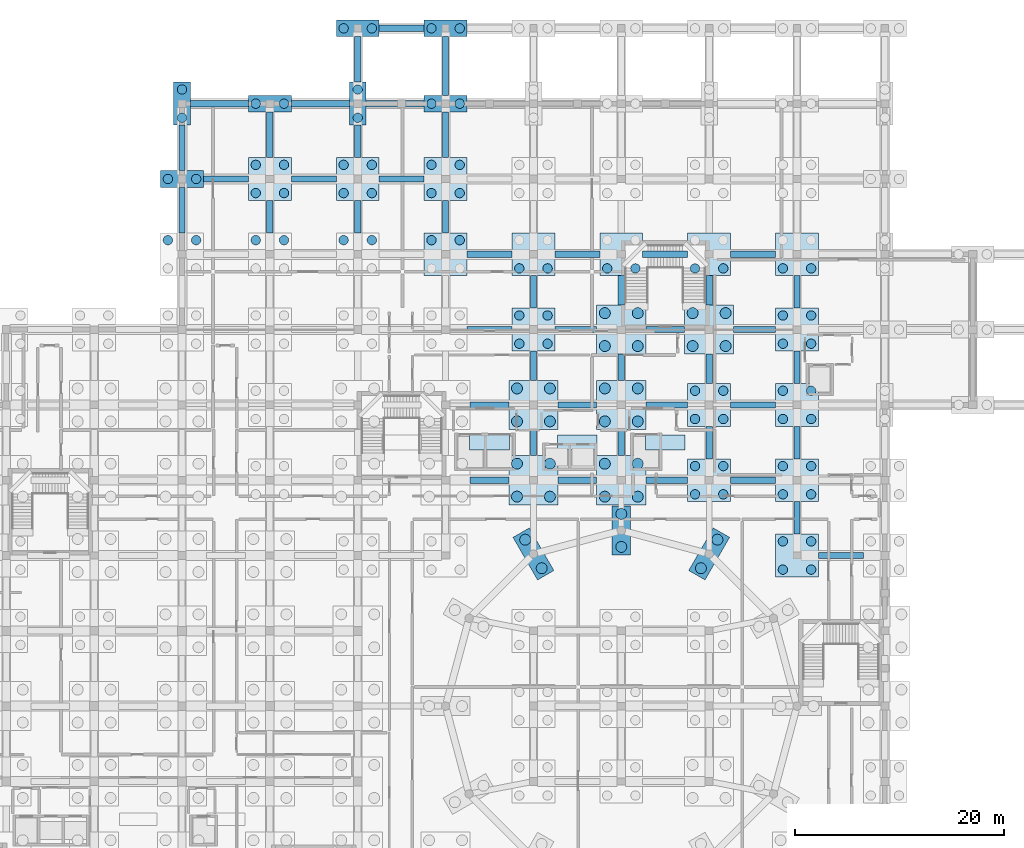
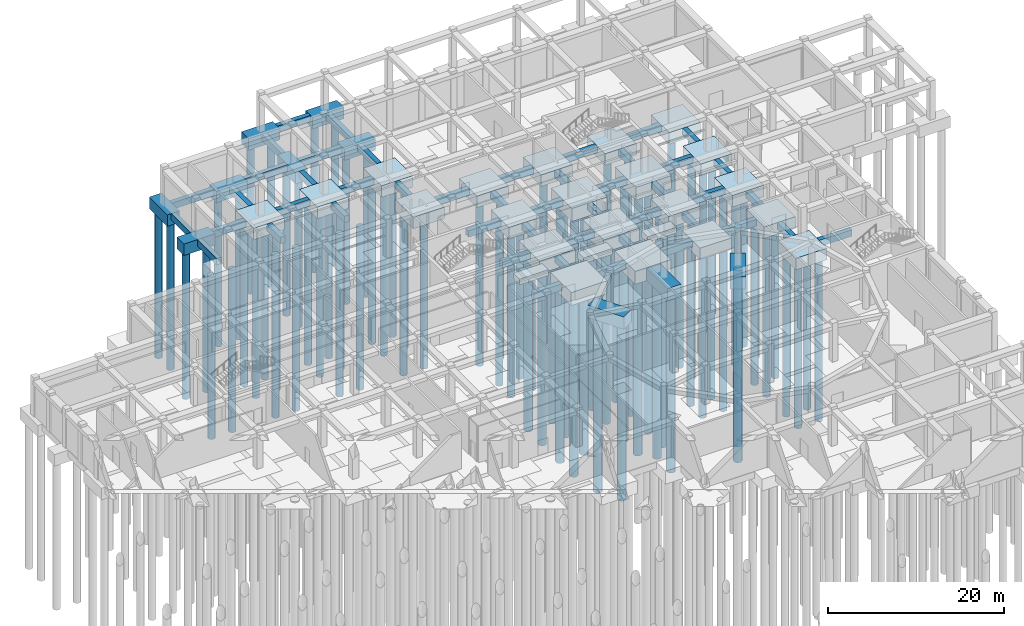
# One storey, part 6 of 32: 100 piles, 81 footings.
"""IFC4 building model written with IfcOpenShell, lengths in metres."""

from ifc_helpers import new_model, si_unit, derived_unit, direction, frame, origin, origin_2d, place, context, subcontext, project, spatial, rectangle, circle, extrude, material, material_profile, profile_set, type_object, element, save


model = new_model("IFC4")

# Units and contexts
model_context = context("Model", 3, precision=1e-05, world=origin(), true_north=direction((0.0, 1.0)))
body_context = subcontext(model_context, "Body", "Model", "MODEL_VIEW")
ifc_project = project(units=[si_unit("LENGTHUNIT", "METRE"), si_unit("AREAUNIT", "SQUARE_METRE"), si_unit("VOLUMEUNIT", "CUBIC_METRE"), si_unit("PLANEANGLEUNIT", "RADIAN"), si_unit("MASSUNIT", "GRAM", prefix="KILO"), derived_unit("THERMALTRANSMITTANCEUNIT", [(si_unit("POWERUNIT", "WATT"), 1), (si_unit("LENGTHUNIT", "METRE"), -2), (si_unit("THERMODYNAMICTEMPERATUREUNIT", "KELVIN"), -1)])], contexts=[model_context])

# Site, building, storey
site_placement = place(None, origin())
site = spatial("IfcSite", under=ifc_project, at=site_placement, CompositionType="ELEMENT")
building_placement = place(site_placement, origin())
building = spatial("IfcBuilding", under=site, at=building_placement, Name="Veybourne Emporium", CompositionType="ELEMENT")
storey_placement = place(building_placement, frame((0.0, 0.0, -5.39990234375)))
storey = spatial("IfcBuildingStorey", under=building, at=storey_placement, Name="B1", CompositionType="ELEMENT", Elevation=-5.39990234375)

# Footings
ifc_material = material(Name="Concrete C35/45", Category="concrete")
footing_type_1 = type_object("IfcFootingType", Name="GroundBeam_GB-2500", PredefinedType="FOOTING_BEAM", material=ifc_material)
for number, where, z_axis, x_axis, name in (
    (1, (67.199951171875, 75.60009765625, -0.900146484375), (0.0, 0.0, 1.0), (0.0, 1.0, 0.0), "Ground tie beam GB-2500"),
    (2, (75.60009765625, 75.60009765625, -0.900146484375), (0.0, 0.0, 1.0), (0.0, 1.0, 0.0), "Ground tie beam GB-2500"),
    (3, (75.60009765625, 82.800048828125, -0.900146484375), (0.0, 0.0, 1.0), (0.0, 1.0, 0.0), "Ground tie beam GB-2500"),
):
    element("IfcFooting", number, at=place(storey_placement, frame(where, z_axis=z_axis, x_axis=x_axis)), inside=storey, type_object=footing_type_1, Name=name, PredefinedType="FOOTING_BEAM", context=body_context, shape_type="SweptSolid", body=[
        extrude(rectangle(XDim=2.5, YDim=0.60009765625, at=origin_2d()), origin(), (0.0, 0.0, 1.0), 0.89990234375),
    ])
footing_type_2 = type_object("IfcFootingType", Name="GroundBeam_GB-2800", PredefinedType="FOOTING_BEAM", material=ifc_material)
for number, where, z_axis, x_axis, name in (
    (4, (67.199951171875, 82.949951171875, -0.900146484375), (0.0, 0.0, 1.0), (0.0, 1.0, 0.0), "Ground tie beam GB-2800"),
    (5, (75.60009765625, 90.14990234375, -0.900146484375), (0.0, 0.0, 1.0), (0.0, 1.0, 0.0), "Ground tie beam GB-2800"),
    (6, (84.0, 82.64990234375, -0.900146484375), (0.0, 0.0, 1.0), (0.0, 1.0, 0.0), "Ground tie beam GB-2800"),
    (7, (84.0, 90.14990234375, -0.900146484375), (0.0, 0.0, 1.0), (0.0, 1.0, 0.0), "Ground tie beam GB-2800"),
):
    element("IfcFooting", number, at=place(storey_placement, frame(where, z_axis=z_axis, x_axis=x_axis)), inside=storey, type_object=footing_type_2, Name=name, PredefinedType="FOOTING_BEAM", context=body_context, shape_type="SweptSolid", body=[
        extrude(rectangle(XDim=2.800048828125, YDim=0.60009765625, at=origin_2d()), origin(), (0.0, 0.0, 1.0), 0.89990234375),
    ])
footing_type_3 = type_object("IfcFootingType", Name="GroundBeam_GB-3100", PredefinedType="FOOTING_BEAM", material=ifc_material)
for number, where, z_axis, x_axis, name in (
    (8, (42.0, 97.199951171875, -0.900146484375), (0.0, 0.0, 1.0), (0.0, 1.0, 0.0), "Ground tie beam GB-3100"),
    (9, (50.39990234375, 97.199951171875, -0.900146484375), (0.0, 0.0, 1.0), (0.0, 1.0, 0.0), "Ground tie beam GB-3100"),
    (10, (50.39990234375, 104.39990234375, -0.900146484375), (0.0, 0.0, 1.0), (0.0, 1.0, 0.0), "Ground tie beam GB-3100"),
    (11, (58.800048828125, 97.199951171875, -0.900146484375), (0.0, 0.0, 1.0), (0.0, 1.0, 0.0), "Ground tie beam GB-3100"),
    (12, (67.199951171875, 90.0, -0.900146484375), (0.0, 0.0, 1.0), (0.0, 1.0, 0.0), "Ground tie beam GB-3100"),
    (13, (84.0, 75.60009765625, -0.900146484375), (0.0, 0.0, 1.0), (0.0, 1.0, 0.0), "Ground tie beam GB-3100"),
    (14, (92.39990234375, 68.39990234375, -0.900146484375), (0.0, 0.0, 1.0), (0.0, 1.0, 0.0), "Ground tie beam GB-3100"),
    (15, (92.39990234375, 75.60009765625, -0.900146484375), (0.0, 0.0, 1.0), (0.0, 1.0, 0.0), "Ground tie beam GB-3100"),
    (16, (92.39990234375, 82.800048828125, -0.900146484375), (0.0, 0.0, 1.0), (0.0, 1.0, 0.0), "Ground tie beam GB-3100"),
    (17, (92.39990234375, 90.0, -0.900146484375), (0.0, 0.0, 1.0), (0.0, 1.0, 0.0), "Ground tie beam GB-3100"),
):
    element("IfcFooting", number, at=place(storey_placement, frame(where, z_axis=z_axis, x_axis=x_axis)), inside=storey, type_object=footing_type_3, Name=name, PredefinedType="FOOTING_BEAM", context=body_context, shape_type="SweptSolid", body=[
        extrude(rectangle(XDim=3.10009765625, YDim=0.60009765625, at=origin_2d()), origin(), (0.0, 0.0, 1.0), 0.89990234375),
    ])
footing_type_4 = type_object("IfcFootingType", Name="GroundBeam_GB-3700", PredefinedType="FOOTING_BEAM", material=ifc_material)
for number, where, z_axis, x_axis, name in (
    (18, (63.0, 72.0, -0.900146484375), (0.0, 0.0, 1.0), (1.0, 0.0, 0.0), "Ground tie beam GB-3700"),
    (19, (63.0, 79.199951171875, -0.900146484375), (0.0, 0.0, 1.0), (1.0, 0.0, 0.0), "Ground tie beam GB-3700"),
    (20, (71.39990234375, 72.0, -0.900146484375), (0.0, 0.0, 1.0), (1.0, 0.0, 0.0), "Ground tie beam GB-3700"),
    (21, (71.39990234375, 79.199951171875, -0.900146484375), (0.0, 0.0, 1.0), (1.0, 0.0, 0.0), "Ground tie beam GB-3700"),
    (22, (79.800048828125, 86.39990234375, -0.900146484375), (0.0, 0.0, 1.0), (1.0, 0.0, 0.0), "Ground tie beam GB-3700"),
):
    element("IfcFooting", number, at=place(storey_placement, frame(where, z_axis=z_axis, x_axis=x_axis)), inside=storey, type_object=footing_type_4, Name=name, PredefinedType="FOOTING_BEAM", context=body_context, shape_type="SweptSolid", body=[
        extrude(rectangle(XDim=3.699951171875, YDim=0.60009765625, at=origin_2d()), origin(), (0.0, 0.0, 1.0), 0.89990234375),
    ])
footing_type_5 = type_object("IfcFootingType", Name="GroundBeam_GB-4000", PredefinedType="FOOTING_BEAM", material=ifc_material)
for number, where, z_axis, x_axis, name in (
    (23, (71.25, 86.39990234375, -0.900146484375), (0.0, 0.0, 1.0), (1.0, 0.0, 0.0), "Ground tie beam GB-4000"),
    (24, (79.949951171875, 72.0, -0.900146484375), (0.0, 0.0, 1.0), (1.0, 0.0, 0.0), "Ground tie beam GB-4000"),
    (25, (79.949951171875, 79.199951171875, -0.900146484375), (0.0, 0.0, 1.0), (1.0, 0.0, 0.0), "Ground tie beam GB-4000"),
    (26, (88.35009765625, 86.39990234375, -0.900146484375), (0.0, 0.0, 1.0), (1.0, 0.0, 0.0), "Ground tie beam GB-4000"),
):
    element("IfcFooting", number, at=place(storey_placement, frame(where, z_axis=z_axis, x_axis=x_axis)), inside=storey, type_object=footing_type_5, Name=name, PredefinedType="FOOTING_BEAM", context=body_context, shape_type="SweptSolid", body=[
        extrude(rectangle(XDim=4.0, YDim=0.60009765625, at=origin_2d()), origin(), (0.0, 0.0, 1.0), 0.89990234375),
    ])
footing_type_6 = type_object("IfcFootingType", Name="GroundBeam_GB-4300", PredefinedType="FOOTING_BEAM", material=ifc_material)
for number, where, z_axis, x_axis, name in (
    (27, (37.800048828125, 100.800048828125, -0.900146484375), (0.0, 0.0, 1.0), (1.0, 0.0, 0.0), "Ground tie beam GB-4300"),
    (28, (46.199951171875, 100.800048828125, -0.900146484375), (0.0, 0.0, 1.0), (1.0, 0.0, 0.0), "Ground tie beam GB-4300"),
    (29, (54.60009765625, 100.800048828125, -0.900146484375), (0.0, 0.0, 1.0), (1.0, 0.0, 0.0), "Ground tie beam GB-4300"),
    (30, (54.60009765625, 115.199951171875, -0.900146484375), (0.0, 0.0, 1.0), (1.0, 0.0, 0.0), "Ground tie beam GB-4300"),
    (31, (63.0, 86.39990234375, -0.900146484375), (0.0, 0.0, 1.0), (1.0, 0.0, 0.0), "Ground tie beam GB-4300"),
    (32, (63.0, 93.60009765625, -0.900146484375), (0.0, 0.0, 1.0), (1.0, 0.0, 0.0), "Ground tie beam GB-4300"),
    (33, (71.39990234375, 93.60009765625, -0.900146484375), (0.0, 0.0, 1.0), (1.0, 0.0, 0.0), "Ground tie beam GB-4300"),
    (34, (79.800048828125, 93.60009765625, -0.900146484375), (0.0, 0.0, 1.0), (1.0, 0.0, 0.0), "Ground tie beam GB-4300"),
    (35, (88.199951171875, 72.0, -0.900146484375), (0.0, 0.0, 1.0), (1.0, 0.0, 0.0), "Ground tie beam GB-4300"),
    (36, (88.199951171875, 79.199951171875, -0.900146484375), (0.0, 0.0, 1.0), (1.0, 0.0, 0.0), "Ground tie beam GB-4300"),
    (37, (88.199951171875, 93.60009765625, -0.900146484375), (0.0, 0.0, 1.0), (1.0, 0.0, 0.0), "Ground tie beam GB-4300"),
    (38, (96.60009765625, 64.800048828125, -0.900146484375), (0.0, 0.0, 1.0), (1.0, 0.0, 0.0), "Ground tie beam GB-4300"),
):
    element("IfcFooting", number, at=place(storey_placement, frame(where, z_axis=z_axis, x_axis=x_axis)), inside=storey, type_object=footing_type_6, Name=name, PredefinedType="FOOTING_BEAM", context=body_context, shape_type="SweptSolid", body=[
        extrude(rectangle(XDim=4.300048828125, YDim=0.60009765625, at=origin_2d()), origin(), (0.0, 0.0, 1.0), 0.89990234375),
    ])
footing_type_7 = type_object("IfcFootingType", Name="GroundBeam_GB-4350", PredefinedType="FOOTING_BEAM", material=ifc_material)
for number, where, z_axis, x_axis, name in (
    (39, (33.60009765625, 97.824951171875, -0.900146484375), (0.0, 0.0, 1.0), (0.0, 1.0, 0.0), "Ground tie beam GB-4350"),
    (40, (33.60009765625, 103.77490234375, -0.900146484375), (0.0, 0.0, 1.0), (0.0, 1.0, 0.0), "Ground tie beam GB-4350"),
    (41, (42.0, 105.02490234375, -0.900146484375), (0.0, 0.0, 1.0), (0.0, 1.0, 0.0), "Ground tie beam GB-4350"),
    (42, (50.39990234375, 112.22509765625, -0.900146484375), (0.0, 0.0, 1.0), (0.0, 1.0, 0.0), "Ground tie beam GB-4350"),
    (43, (58.800048828125, 105.02490234375, -0.900146484375), (0.0, 0.0, 1.0), (0.0, 1.0, 0.0), "Ground tie beam GB-4350"),
):
    element("IfcFooting", number, at=place(storey_placement, frame(where, z_axis=z_axis, x_axis=x_axis)), inside=storey, type_object=footing_type_7, Name=name, PredefinedType="FOOTING_BEAM", context=body_context, shape_type="SweptSolid", body=[
        extrude(rectangle(XDim=4.35009765625, YDim=0.60009765625, at=origin_2d()), origin(), (0.0, 0.0, 1.0), 0.89990234375),
    ])
footing_type_8 = type_object("IfcFootingType", Name="GroundBeam_GB-5550", PredefinedType="FOOTING_BEAM", material=ifc_material)
for number, where, z_axis, x_axis, name in (
    (44, (37.175048828125, 108.0, -0.900146484375), (0.0, 0.0, 1.0), (1.0, 0.0, 0.0), "Ground tie beam GB-5550"),
    (45, (46.824951171875, 108.0, -0.900146484375), (0.0, 0.0, 1.0), (1.0, 0.0, 0.0), "Ground tie beam GB-5550"),
    (46, (53.97509765625, 108.0, -0.900146484375), (0.0, 0.0, 1.0), (1.0, 0.0, 0.0), "Ground tie beam GB-5550"),
):
    element("IfcFooting", number, at=place(storey_placement, frame(where, z_axis=z_axis, x_axis=x_axis)), inside=storey, type_object=footing_type_8, Name=name, PredefinedType="FOOTING_BEAM", context=body_context, shape_type="SweptSolid", body=[
        extrude(rectangle(XDim=5.550048828125, YDim=0.60009765625, at=origin_2d()), origin(), (0.0, 0.0, 1.0), 0.89990234375),
    ])
footing_type_9 = type_object("IfcFootingType", Name="GroundBeam_GB-5600", PredefinedType="FOOTING_BEAM", material=ifc_material)
footing_placement = place(storey_placement, frame((58.800048828125, 111.60009765625, -0.900146484375), z_axis=(0.0, 0.0, 1.0), x_axis=(0.0, 1.0, 0.0)))
element("IfcFooting", 47, at=footing_placement, inside=storey, type_object=footing_type_9, Name="Ground tie beam GB-5600", PredefinedType="FOOTING_BEAM", context=body_context, shape_type="SweptSolid", body=[
    extrude(rectangle(XDim=5.60009765625, YDim=0.60009765625, at=origin_2d()), origin(), (0.0, 0.0, 1.0), 0.89990234375),
])
footing_type_10 = type_object("IfcFootingType", Name="PileCap_PC-02", PredefinedType="PILE_CAP", material=ifc_material)
for number, where, z_axis, x_axis, name in (
    (48, (33.60009765625, 100.800048828125, -1.60009765625), (0.0, 0.0, 1.0), (1.0, 0.0, 0.0), "Pile cap PC-02 at grid (4,14)"),
    (49, (42.0, 108.0, -1.60009765625), (0.0, 0.0, 1.0), (1.0, 0.0, 0.0), "Pile cap PC-02 at grid (5,15)"),
    (50, (50.39990234375, 115.199951171875, -1.60009765625), (0.0, 0.0, 1.0), (1.0, 0.0, 0.0), "Pile cap PC-02 at grid (6,16)"),
    (51, (58.800048828125, 108.0, -1.60009765625), (0.0, 0.0, 1.0), (1.0, 0.0, 0.0), "Pile cap PC-02 at grid (7,15)"),
    (52, (58.800048828125, 115.199951171875, -1.60009765625), (0.0, 0.0, 1.0), (1.0, 0.0, 0.0), "Pile cap PC-02 at grid (7,16)"),
):
    element("IfcFooting", number, at=place(storey_placement, frame(where, z_axis=z_axis, x_axis=x_axis)), inside=storey, type_object=footing_type_10, Name=name, PredefinedType="PILE_CAP", context=body_context, shape_type="SweptSolid", body=[
        extrude(rectangle(XDim=4.10009765625, YDim=1.60009765625, at=origin_2d()), origin(), (0.0, 0.0, 1.0), 1.60009765625),
    ])
footing_type_11 = type_object("IfcFootingType", Name="PileCap_PC-03", PredefinedType="PILE_CAP", material=ifc_material)
for number, where, z_axis, x_axis, name in (
    (53, (33.60009765625, 108.0, -1.60009765625), (0.0, 0.0, 1.0), (1.0, 0.0, 0.0), "Pile cap PC-03 at grid (4,15)"),
    (54, (50.39990234375, 108.0, -1.60009765625), (0.0, 0.0, 1.0), (1.0, 0.0, 0.0), "Pile cap PC-03 at grid (6,15)"),
):
    element("IfcFooting", number, at=place(storey_placement, frame(where, z_axis=z_axis, x_axis=x_axis)), inside=storey, type_object=footing_type_11, Name=name, PredefinedType="PILE_CAP", context=body_context, shape_type="SweptSolid", body=[
        extrude(rectangle(XDim=1.60009765625, YDim=4.10009765625, at=origin_2d()), origin(), (0.0, 0.0, 1.0), 1.60009765625),
    ])
footing_type_12 = type_object("IfcFootingType", Name="PileCap_PC-04", PredefinedType="PILE_CAP", material=ifc_material)
for number, where, z_axis, x_axis, name in (
    (55, (42.0, 100.800048828125, -1.60009765625), (0.0, 0.0, 1.0), (1.0, 0.0, 0.0), "Pile cap PC-04 at grid (5,14)"),
    (56, (50.39990234375, 100.800048828125, -1.60009765625), (0.0, 0.0, 1.0), (1.0, 0.0, 0.0), "Pile cap PC-04 at grid (6,14)"),
    (57, (58.800048828125, 93.60009765625, -1.60009765625), (0.0, 0.0, 1.0), (1.0, 0.0, 0.0), "Pile cap PC-04 at grid (7,13)"),
    (58, (58.800048828125, 100.800048828125, -1.60009765625), (0.0, 0.0, 1.0), (1.0, 0.0, 0.0), "Pile cap PC-04 at grid (7,14)"),
    (59, (67.199951171875, 86.39990234375, -1.60009765625), (0.0, 0.0, 1.0), (1.0, 0.0, 0.0), "Pile cap PC-04 at grid (8,12)"),
    (60, (67.199951171875, 93.60009765625, -1.60009765625), (0.0, 0.0, 1.0), (1.0, 0.0, 0.0), "Pile cap PC-04 at grid (8,13)"),
    (61, (75.60009765625, 93.60009765625, -1.60009765625), (0.0, 0.0, 1.0), (1.0, 0.0, 0.0), "Pile cap PC-04 at grid (9,13)"),
    (62, (84.0, 72.0, -1.60009765625), (0.0, 0.0, 1.0), (1.0, 0.0, 0.0), "Pile cap PC-04 at grid (10,10)"),
    (63, (84.0, 79.199951171875, -1.60009765625), (0.0, 0.0, 1.0), (1.0, 0.0, 0.0), "Pile cap PC-04 at grid (10,11)"),
    (64, (84.0, 93.60009765625, -1.60009765625), (0.0, 0.0, 1.0), (1.0, 0.0, 0.0), "Pile cap PC-04 at grid (10,13)"),
    (65, (92.39990234375, 64.800048828125, -1.60009765625), (0.0, 0.0, 1.0), (1.0, 0.0, 0.0), "Pile cap PC-04 at grid (11,9)"),
    (66, (92.39990234375, 72.0, -1.60009765625), (0.0, 0.0, 1.0), (1.0, 0.0, 0.0), "Pile cap PC-04 at grid (11,10)"),
    (67, (92.39990234375, 79.199951171875, -1.60009765625), (0.0, 0.0, 1.0), (1.0, 0.0, 0.0), "Pile cap PC-04 at grid (11,11)"),
    (68, (92.39990234375, 86.39990234375, -1.60009765625), (0.0, 0.0, 1.0), (1.0, 0.0, 0.0), "Pile cap PC-04 at grid (11,12)"),
    (69, (92.39990234375, 93.60009765625, -1.60009765625), (0.0, 0.0, 1.0), (1.0, 0.0, 0.0), "Pile cap PC-04 at grid (11,13)"),
):
    element("IfcFooting", number, at=place(storey_placement, frame(where, z_axis=z_axis, x_axis=x_axis)), inside=storey, type_object=footing_type_12, Name=name, PredefinedType="PILE_CAP", context=body_context, shape_type="SweptSolid", body=[
        extrude(rectangle(XDim=4.10009765625, YDim=4.10009765625, at=origin_2d()), origin(), (0.0, 0.0, 1.0), 1.60009765625),
    ])
footing_type_13 = type_object("IfcFootingType", Name="PileCap_PC-05", PredefinedType="PILE_CAP", material=ifc_material)
for number, where, z_axis, x_axis, name in (
    (70, (67.199951171875, 72.0, -1.80029296875), (0.0, 0.0, 1.0), (1.0, 0.0, 0.0), "Pile cap PC-05 at grid (8,10)"),
    (71, (67.199951171875, 79.199951171875, -1.80029296875), (0.0, 0.0, 1.0), (1.0, 0.0, 0.0), "Pile cap PC-05 at grid (8,11)"),
    (72, (75.60009765625, 72.0, -1.80029296875), (0.0, 0.0, 1.0), (1.0, 0.0, 0.0), "Pile cap PC-05 at grid (9,10)"),
    (73, (75.60009765625, 79.199951171875, -1.80029296875), (0.0, 0.0, 1.0), (1.0, 0.0, 0.0), "Pile cap PC-05 at grid (9,11)"),
    (74, (75.60009765625, 86.39990234375, -1.80029296875), (0.0, 0.0, 1.0), (1.0, 0.0, 0.0), "Pile cap PC-05 at grid (9,12)"),
    (75, (84.0, 86.39990234375, -1.80029296875), (0.0, 0.0, 1.0), (1.0, 0.0, 0.0), "Pile cap PC-05 at grid (10,12)"),
):
    element("IfcFooting", number, at=place(storey_placement, frame(where, z_axis=z_axis, x_axis=x_axis)), inside=storey, type_object=footing_type_13, Name=name, PredefinedType="PILE_CAP", context=body_context, shape_type="SweptSolid", body=[
        extrude(rectangle(XDim=4.699951171875, YDim=4.699951171875, at=origin_2d()), origin(), (0.0, 0.0, 1.0), 1.800048828125),
    ])
footing_type_14 = type_object("IfcFootingType", Name="PileCap_PC-12", PredefinedType="PILE_CAP", material=ifc_material)
for number, where, z_axis, x_axis, name in (
    (76, (84.0, 64.94921875, -1.7001953125), (0.0, 0.0, 1.0), (0.5, 0.866025403784, 0.0), "Atrium drum pile cap 3"),
    (77, (75.60009765625, 67.199951171875, -1.7001953125), (0.0, 0.0, 1.0), (0.0, 1.0, 0.0), "Atrium drum pile cap 4"),
    (78, (67.199951171875, 64.94921875, -1.7001953125), (0.0, 0.0, 1.0), (-0.5, 0.866025403784, 0.0), "Atrium drum pile cap 5"),
):
    element("IfcFooting", number, at=place(storey_placement, frame(where, z_axis=z_axis, x_axis=x_axis)), inside=storey, type_object=footing_type_14, Name=name, PredefinedType="PILE_CAP", context=body_context, shape_type="SweptSolid", body=[
        extrude(rectangle(XDim=4.699951171875, YDim=1.800048828125, at=origin_2d()), origin(), (0.0, 0.0, 1.0), 1.699951171875),
    ])

# Piles
ifc_material_profile_1 = material_profile(ifc_material, circle(Radius=0.449951171875, at=origin_2d()), Name="BORED PILE 900")
ifc_profile_set_1 = profile_set([ifc_material_profile_1], Name="Concrete C35/45")
pile_type_1 = type_object("IfcPileType", Name="Pile_P-01", PredefinedType="BORED", material=ifc_profile_set_1)
for number, where, z_axis, x_axis, name in (
    (79, (32.25, 94.949951171875, -1.4501953125), (0.0, 0.0, -1.0), (1.0, 0.0, 0.0), "Bored pile P-01-223"),
    (80, (34.949951171875, 94.949951171875, -1.4501953125), (0.0, 0.0, -1.0), (1.0, 0.0, 0.0), "Bored pile P-01-224"),
    (81, (40.64990234375, 94.949951171875, -1.4501953125), (0.0, 0.0, -1.0), (1.0, 0.0, 0.0), "Bored pile P-01-283"),
    (82, (43.35009765625, 94.949951171875, -1.4501953125), (0.0, 0.0, -1.0), (1.0, 0.0, 0.0), "Bored pile P-01-284"),
    (83, (40.64990234375, 99.449951171875, -1.4501953125), (0.0, 0.0, -1.0), (1.0, 0.0, 0.0), "Bored pile P-01-285"),
    (84, (43.35009765625, 99.449951171875, -1.4501953125), (0.0, 0.0, -1.0), (1.0, 0.0, 0.0), "Bored pile P-01-286"),
    (85, (40.64990234375, 102.14990234375, -1.4501953125), (0.0, 0.0, -1.0), (1.0, 0.0, 0.0), "Bored pile P-01-287"),
    (86, (43.35009765625, 102.14990234375, -1.4501953125), (0.0, 0.0, -1.0), (1.0, 0.0, 0.0), "Bored pile P-01-288"),
    (87, (49.050048828125, 94.949951171875, -1.4501953125), (0.0, 0.0, -1.0), (1.0, 0.0, 0.0), "Bored pile P-01-345"),
    (88, (51.75, 94.949951171875, -1.4501953125), (0.0, 0.0, -1.0), (1.0, 0.0, 0.0), "Bored pile P-01-346"),
    (89, (49.050048828125, 99.449951171875, -1.4501953125), (0.0, 0.0, -1.0), (1.0, 0.0, 0.0), "Bored pile P-01-347"),
    (90, (51.75, 99.449951171875, -1.4501953125), (0.0, 0.0, -1.0), (1.0, 0.0, 0.0), "Bored pile P-01-348"),
    (91, (49.050048828125, 102.14990234375, -1.4501953125), (0.0, 0.0, -1.0), (1.0, 0.0, 0.0), "Bored pile P-01-349"),
    (92, (51.75, 102.14990234375, -1.4501953125), (0.0, 0.0, -1.0), (1.0, 0.0, 0.0), "Bored pile P-01-350"),
    (93, (57.449951171875, 94.949951171875, -1.4501953125), (0.0, 0.0, -1.0), (1.0, 0.0, 0.0), "Bored pile P-01-389"),
    (94, (60.14990234375, 94.949951171875, -1.4501953125), (0.0, 0.0, -1.0), (1.0, 0.0, 0.0), "Bored pile P-01-390"),
    (95, (57.449951171875, 99.449951171875, -1.4501953125), (0.0, 0.0, -1.0), (1.0, 0.0, 0.0), "Bored pile P-01-391"),
    (96, (60.14990234375, 99.449951171875, -1.4501953125), (0.0, 0.0, -1.0), (1.0, 0.0, 0.0), "Bored pile P-01-392"),
    (97, (57.449951171875, 102.14990234375, -1.4501953125), (0.0, 0.0, -1.0), (1.0, 0.0, 0.0), "Bored pile P-01-393"),
    (98, (60.14990234375, 102.14990234375, -1.4501953125), (0.0, 0.0, -1.0), (1.0, 0.0, 0.0), "Bored pile P-01-394"),
    (99, (65.85009765625, 85.050048828125, -1.4501953125), (0.0, 0.0, -1.0), (1.0, 0.0, 0.0), "Bored pile P-01-431"),
    (100, (68.550048828125, 85.050048828125, -1.4501953125), (0.0, 0.0, -1.0), (1.0, 0.0, 0.0), "Bored pile P-01-432"),
    (101, (65.85009765625, 87.75, -1.4501953125), (0.0, 0.0, -1.0), (1.0, 0.0, 0.0), "Bored pile P-01-433"),
    (102, (68.550048828125, 87.75, -1.4501953125), (0.0, 0.0, -1.0), (1.0, 0.0, 0.0), "Bored pile P-01-434"),
    (103, (65.85009765625, 92.25, -1.4501953125), (0.0, 0.0, -1.0), (1.0, 0.0, 0.0), "Bored pile P-01-435"),
    (104, (68.550048828125, 92.25, -1.4501953125), (0.0, 0.0, -1.0), (1.0, 0.0, 0.0), "Bored pile P-01-436"),
    (105, (74.25, 92.25, -1.4501953125), (0.0, 0.0, -1.0), (1.0, 0.0, 0.0), "Bored pile P-01-483"),
    (106, (76.949951171875, 92.25, -1.4501953125), (0.0, 0.0, -1.0), (1.0, 0.0, 0.0), "Bored pile P-01-484"),
    (107, (82.64990234375, 70.64990234375, -1.4501953125), (0.0, 0.0, -1.0), (1.0, 0.0, 0.0), "Bored pile P-01-519"),
    (108, (85.35009765625, 70.64990234375, -1.4501953125), (0.0, 0.0, -1.0), (1.0, 0.0, 0.0), "Bored pile P-01-520"),
    (109, (82.64990234375, 73.35009765625, -1.4501953125), (0.0, 0.0, -1.0), (1.0, 0.0, 0.0), "Bored pile P-01-521"),
    (110, (85.35009765625, 73.35009765625, -1.4501953125), (0.0, 0.0, -1.0), (1.0, 0.0, 0.0), "Bored pile P-01-522"),
    (111, (82.64990234375, 77.85009765625, -1.4501953125), (0.0, 0.0, -1.0), (1.0, 0.0, 0.0), "Bored pile P-01-523"),
    (112, (85.35009765625, 77.85009765625, -1.4501953125), (0.0, 0.0, -1.0), (1.0, 0.0, 0.0), "Bored pile P-01-524"),
    (113, (82.64990234375, 80.550048828125, -1.4501953125), (0.0, 0.0, -1.0), (1.0, 0.0, 0.0), "Bored pile P-01-525"),
    (114, (85.35009765625, 80.550048828125, -1.4501953125), (0.0, 0.0, -1.0), (1.0, 0.0, 0.0), "Bored pile P-01-526"),
    (115, (82.64990234375, 92.25, -1.4501953125), (0.0, 0.0, -1.0), (1.0, 0.0, 0.0), "Bored pile P-01-531"),
    (116, (85.35009765625, 92.25, -1.4501953125), (0.0, 0.0, -1.0), (1.0, 0.0, 0.0), "Bored pile P-01-532"),
    (117, (91.050048828125, 63.449951171875, -1.4501953125), (0.0, 0.0, -1.0), (1.0, 0.0, 0.0), "Bored pile P-01-559"),
    (118, (93.75, 63.449951171875, -1.4501953125), (0.0, 0.0, -1.0), (1.0, 0.0, 0.0), "Bored pile P-01-560"),
    (119, (91.050048828125, 66.14990234375, -1.4501953125), (0.0, 0.0, -1.0), (1.0, 0.0, 0.0), "Bored pile P-01-561"),
    (120, (93.75, 66.14990234375, -1.4501953125), (0.0, 0.0, -1.0), (1.0, 0.0, 0.0), "Bored pile P-01-562"),
    (121, (91.050048828125, 70.64990234375, -1.4501953125), (0.0, 0.0, -1.0), (1.0, 0.0, 0.0), "Bored pile P-01-563"),
    (122, (93.75, 70.64990234375, -1.4501953125), (0.0, 0.0, -1.0), (1.0, 0.0, 0.0), "Bored pile P-01-564"),
    (123, (91.050048828125, 73.35009765625, -1.4501953125), (0.0, 0.0, -1.0), (1.0, 0.0, 0.0), "Bored pile P-01-565"),
    (124, (93.75, 73.35009765625, -1.4501953125), (0.0, 0.0, -1.0), (1.0, 0.0, 0.0), "Bored pile P-01-566"),
    (125, (91.050048828125, 77.85009765625, -1.4501953125), (0.0, 0.0, -1.0), (1.0, 0.0, 0.0), "Bored pile P-01-567"),
    (126, (93.75, 77.85009765625, -1.4501953125), (0.0, 0.0, -1.0), (1.0, 0.0, 0.0), "Bored pile P-01-568"),
    (127, (91.050048828125, 80.550048828125, -1.4501953125), (0.0, 0.0, -1.0), (1.0, 0.0, 0.0), "Bored pile P-01-569"),
    (128, (93.75, 80.550048828125, -1.4501953125), (0.0, 0.0, -1.0), (1.0, 0.0, 0.0), "Bored pile P-01-570"),
    (129, (91.050048828125, 85.050048828125, -1.4501953125), (0.0, 0.0, -1.0), (1.0, 0.0, 0.0), "Bored pile P-01-571"),
    (130, (93.75, 85.050048828125, -1.4501953125), (0.0, 0.0, -1.0), (1.0, 0.0, 0.0), "Bored pile P-01-572"),
    (131, (91.050048828125, 87.75, -1.4501953125), (0.0, 0.0, -1.0), (1.0, 0.0, 0.0), "Bored pile P-01-573"),
    (132, (93.75, 87.75, -1.4501953125), (0.0, 0.0, -1.0), (1.0, 0.0, 0.0), "Bored pile P-01-574"),
    (133, (91.050048828125, 92.25, -1.4501953125), (0.0, 0.0, -1.0), (1.0, 0.0, 0.0), "Bored pile P-01-575"),
    (134, (93.75, 92.25, -1.4501953125), (0.0, 0.0, -1.0), (1.0, 0.0, 0.0), "Bored pile P-01-576"),
):
    element("IfcPile", number, at=place(storey_placement, frame(where, z_axis=z_axis, x_axis=x_axis)), inside=storey, type_object=pile_type_1, Name=name, PredefinedType="BORED", context=body_context, shape_type="SweptSolid", body=[
        extrude(circle(Radius=0.449951171875, at=origin_2d()), origin(), (0.0, 0.0, 1.0), 22.550048828125),
    ])
ifc_material_profile_2 = material_profile(ifc_material, circle(Radius=0.52490234375, at=origin_2d()), Name="BORED PILE 1050")
ifc_profile_set_2 = profile_set([ifc_material_profile_2], Name="Concrete C35/45")
pile_type_2 = type_object("IfcPileType", Name="Pile_P-02", PredefinedType="BORED", material=ifc_profile_set_2)
for number, where, z_axis, x_axis, name in (
    (135, (83.21240234375, 63.585205078125, -1.550048828125), (0.0, 0.0, -1.0), (1.0, 0.0, 0.0), "Atrium drum bored pile 3.1"),
    (136, (84.78759765625, 66.313232421875, -1.550048828125), (0.0, 0.0, -1.0), (1.0, 0.0, 0.0), "Atrium drum bored pile 3.2"),
    (137, (75.60009765625, 65.625, -1.550048828125), (0.0, 0.0, -1.0), (1.0, 0.0, 0.0), "Atrium drum bored pile 4.1"),
    (138, (75.60009765625, 68.77490234375, -1.550048828125), (0.0, 0.0, -1.0), (1.0, 0.0, 0.0), "Atrium drum bored pile 4.2"),
    (139, (67.987548828125, 63.585205078125, -1.550048828125), (0.0, 0.0, -1.0), (1.0, 0.0, 0.0), "Atrium drum bored pile 5.1"),
    (140, (66.41259765625, 66.313232421875, -1.550048828125), (0.0, 0.0, -1.0), (1.0, 0.0, 0.0), "Atrium drum bored pile 5.2"),
):
    element("IfcPile", number, at=place(storey_placement, frame(where, z_axis=z_axis, x_axis=x_axis)), inside=storey, type_object=pile_type_2, Name=name, PredefinedType="BORED", context=body_context, shape_type="SweptSolid", body=[
        extrude(circle(Radius=0.52490234375, at=origin_2d()), origin(), (0.0, 0.0, 1.0), 24.449951171875),
    ])
ifc_material_profile_3 = material_profile(ifc_material, circle(Radius=0.449951171875, at=origin_2d()), Name="BORED PILE 900")
ifc_profile_set_3 = profile_set([ifc_material_profile_3], Name="Concrete C35/45")
pile_type_3 = type_object("IfcPileType", Name="Pile_P-03", PredefinedType="BORED", material=ifc_profile_set_3)
for number, where, z_axis, x_axis, name in (
    (141, (32.25, 100.800048828125, -1.4501953125), (0.0, 0.0, -1.0), (1.0, 0.0, 0.0), "Bored pile P-03-225"),
    (142, (34.949951171875, 100.800048828125, -1.4501953125), (0.0, 0.0, -1.0), (1.0, 0.0, 0.0), "Bored pile P-03-226"),
    (143, (33.60009765625, 106.64990234375, -1.4501953125), (0.0, 0.0, -1.0), (1.0, 0.0, 0.0), "Bored pile P-03-227"),
    (144, (33.60009765625, 109.35009765625, -1.4501953125), (0.0, 0.0, -1.0), (1.0, 0.0, 0.0), "Bored pile P-03-228"),
    (145, (40.64990234375, 108.0, -1.4501953125), (0.0, 0.0, -1.0), (1.0, 0.0, 0.0), "Bored pile P-03-289"),
    (146, (43.35009765625, 108.0, -1.4501953125), (0.0, 0.0, -1.0), (1.0, 0.0, 0.0), "Bored pile P-03-290"),
    (147, (50.39990234375, 106.64990234375, -1.4501953125), (0.0, 0.0, -1.0), (1.0, 0.0, 0.0), "Bored pile P-03-351"),
    (148, (50.39990234375, 109.35009765625, -1.4501953125), (0.0, 0.0, -1.0), (1.0, 0.0, 0.0), "Bored pile P-03-352"),
    (149, (49.050048828125, 115.199951171875, -1.4501953125), (0.0, 0.0, -1.0), (1.0, 0.0, 0.0), "Bored pile P-03-353"),
    (150, (51.75, 115.199951171875, -1.4501953125), (0.0, 0.0, -1.0), (1.0, 0.0, 0.0), "Bored pile P-03-354"),
    (151, (57.449951171875, 108.0, -1.4501953125), (0.0, 0.0, -1.0), (1.0, 0.0, 0.0), "Bored pile P-03-395"),
    (152, (60.14990234375, 108.0, -1.4501953125), (0.0, 0.0, -1.0), (1.0, 0.0, 0.0), "Bored pile P-03-396"),
    (153, (57.449951171875, 115.199951171875, -1.4501953125), (0.0, 0.0, -1.0), (1.0, 0.0, 0.0), "Bored pile P-03-397"),
    (154, (60.14990234375, 115.199951171875, -1.4501953125), (0.0, 0.0, -1.0), (1.0, 0.0, 0.0), "Bored pile P-03-398"),
):
    element("IfcPile", number, at=place(storey_placement, frame(where, z_axis=z_axis, x_axis=x_axis)), inside=storey, type_object=pile_type_3, Name=name, PredefinedType="BORED", context=body_context, shape_type="SweptSolid", body=[
        extrude(circle(Radius=0.449951171875, at=origin_2d()), origin(), (0.0, 0.0, 1.0), 20.550048828125),
    ])
ifc_material_profile_4 = material_profile(ifc_material, circle(Radius=0.52490234375, at=origin_2d()), Name="BORED PILE 1050")
ifc_profile_set_4 = profile_set([ifc_material_profile_4], Name="Concrete C35/45")
pile_type_4 = type_object("IfcPileType", Name="Pile_P-04", PredefinedType="BORED", material=ifc_profile_set_4)
for number, where, z_axis, x_axis, name in (
    (155, (65.625, 70.425048828125, -1.650146484375), (0.0, 0.0, -1.0), (1.0, 0.0, 0.0), "Bored pile P-04-423"),
    (156, (68.77490234375, 70.425048828125, -1.650146484375), (0.0, 0.0, -1.0), (1.0, 0.0, 0.0), "Bored pile P-04-424"),
    (157, (65.625, 73.574951171875, -1.650146484375), (0.0, 0.0, -1.0), (1.0, 0.0, 0.0), "Bored pile P-04-425"),
    (158, (68.77490234375, 73.574951171875, -1.650146484375), (0.0, 0.0, -1.0), (1.0, 0.0, 0.0), "Bored pile P-04-426"),
    (159, (65.625, 77.625, -1.650146484375), (0.0, 0.0, -1.0), (1.0, 0.0, 0.0), "Bored pile P-04-427"),
    (160, (68.77490234375, 77.625, -1.650146484375), (0.0, 0.0, -1.0), (1.0, 0.0, 0.0), "Bored pile P-04-428"),
    (161, (65.625, 80.77490234375, -1.650146484375), (0.0, 0.0, -1.0), (1.0, 0.0, 0.0), "Bored pile P-04-429"),
    (162, (68.77490234375, 80.77490234375, -1.650146484375), (0.0, 0.0, -1.0), (1.0, 0.0, 0.0), "Bored pile P-04-430"),
    (163, (74.02490234375, 70.425048828125, -1.650146484375), (0.0, 0.0, -1.0), (1.0, 0.0, 0.0), "Bored pile P-04-471"),
    (164, (77.175048828125, 70.425048828125, -1.650146484375), (0.0, 0.0, -1.0), (1.0, 0.0, 0.0), "Bored pile P-04-472"),
    (165, (74.02490234375, 73.574951171875, -1.650146484375), (0.0, 0.0, -1.0), (1.0, 0.0, 0.0), "Bored pile P-04-473"),
    (166, (77.175048828125, 73.574951171875, -1.650146484375), (0.0, 0.0, -1.0), (1.0, 0.0, 0.0), "Bored pile P-04-474"),
    (167, (74.02490234375, 77.625, -1.650146484375), (0.0, 0.0, -1.0), (1.0, 0.0, 0.0), "Bored pile P-04-475"),
    (168, (77.175048828125, 77.625, -1.650146484375), (0.0, 0.0, -1.0), (1.0, 0.0, 0.0), "Bored pile P-04-476"),
    (169, (74.02490234375, 80.77490234375, -1.650146484375), (0.0, 0.0, -1.0), (1.0, 0.0, 0.0), "Bored pile P-04-477"),
    (170, (77.175048828125, 80.77490234375, -1.650146484375), (0.0, 0.0, -1.0), (1.0, 0.0, 0.0), "Bored pile P-04-478"),
    (171, (74.02490234375, 84.824951171875, -1.650146484375), (0.0, 0.0, -1.0), (1.0, 0.0, 0.0), "Bored pile P-04-479"),
    (172, (77.175048828125, 84.824951171875, -1.650146484375), (0.0, 0.0, -1.0), (1.0, 0.0, 0.0), "Bored pile P-04-480"),
    (173, (74.02490234375, 87.97509765625, -1.650146484375), (0.0, 0.0, -1.0), (1.0, 0.0, 0.0), "Bored pile P-04-481"),
    (174, (77.175048828125, 87.97509765625, -1.650146484375), (0.0, 0.0, -1.0), (1.0, 0.0, 0.0), "Bored pile P-04-482"),
    (175, (82.425048828125, 84.824951171875, -1.650146484375), (0.0, 0.0, -1.0), (1.0, 0.0, 0.0), "Bored pile P-04-527"),
    (176, (85.574951171875, 84.824951171875, -1.650146484375), (0.0, 0.0, -1.0), (1.0, 0.0, 0.0), "Bored pile P-04-528"),
    (177, (82.425048828125, 87.97509765625, -1.650146484375), (0.0, 0.0, -1.0), (1.0, 0.0, 0.0), "Bored pile P-04-529"),
    (178, (85.574951171875, 87.97509765625, -1.650146484375), (0.0, 0.0, -1.0), (1.0, 0.0, 0.0), "Bored pile P-04-530"),
):
    element("IfcPile", number, at=place(storey_placement, frame(where, z_axis=z_axis, x_axis=x_axis)), inside=storey, type_object=pile_type_4, Name=name, PredefinedType="BORED", context=body_context, shape_type="SweptSolid", body=[
        extrude(circle(Radius=0.52490234375, at=origin_2d()), origin(), (0.0, 0.0, 1.0), 24.35009765625),
    ])

# Footings
footing_type_15 = type_object("IfcFootingType", Name="StripFooting_SF-02", PredefinedType="STRIP_FOOTING", material=ifc_material)
for number, where, z_axis, x_axis, name in (
    (179, (63.0, 75.60009765625, -0.80029296875), (0.0, 0.0, 1.0), (1.0, 0.0, 0.0), "Strip footing SF-02-06"),
    (180, (71.39990234375, 75.60009765625, -0.80029296875), (0.0, 0.0, 1.0), (1.0, 0.0, 0.0), "Strip footing SF-02-07"),
    (181, (79.800048828125, 75.60009765625, -0.80029296875), (0.0, 0.0, 1.0), (1.0, 0.0, 0.0), "Strip footing SF-02-08"),
):
    element("IfcFooting", number, at=place(storey_placement, frame(where, z_axis=z_axis, x_axis=x_axis)), inside=storey, type_object=footing_type_15, Name=name, PredefinedType="STRIP_FOOTING", context=body_context, shape_type="SweptSolid", body=[
        extrude(rectangle(XDim=3.800048828125, YDim=1.39990234375, at=origin_2d()), origin(), (0.0, 0.0, 1.0), 0.800048828125),
    ])

save(model, "model.ifc")
